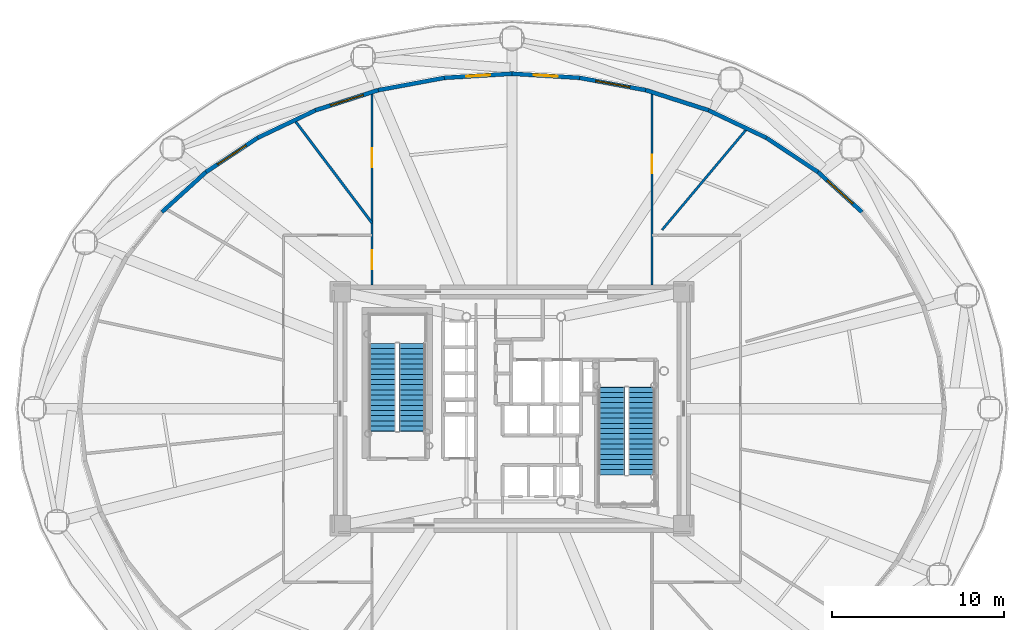
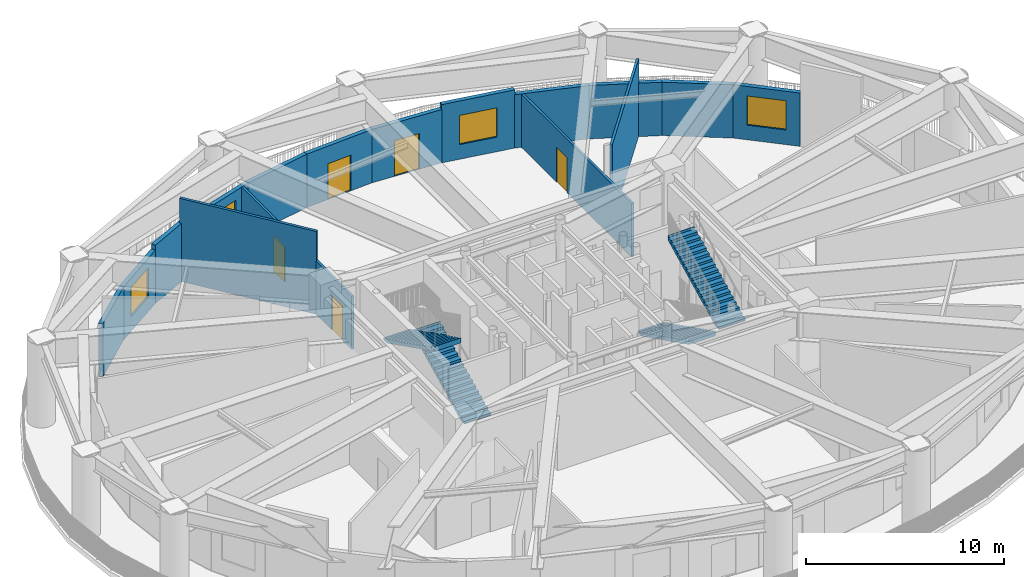
# One storey, part 8 of 15: 16 walls, 5 doors, 4 stair flights, 4 windows, 9 openings, 2 elements without a shape of their own.
"""IFC4 building model written with IfcOpenShell, lengths in metres."""

from ifc_helpers import new_model, si_unit, direction, frame, frame_2d, origin, origin_2d, place, context, subcontext, project, spatial, polyline, rectangle, outline, extrude, source, transform, mapped, material, layer, layer_set, type_object, element, fill, aggregate, save


model = new_model("IFC4")

# Units and contexts
model_context = context("Model", 3, precision=1e-05, world=origin(), true_north=direction((0.0, 1.0)))
body_context = subcontext(model_context, "Body", "Model", "MODEL_VIEW")
ifc_project = project(units=[si_unit("LENGTHUNIT", "METRE"), si_unit("AREAUNIT", "SQUARE_METRE"), si_unit("VOLUMEUNIT", "CUBIC_METRE"), si_unit("PLANEANGLEUNIT", "RADIAN"), si_unit("MASSUNIT", "GRAM", prefix="KILO")], contexts=[model_context])

# Site, building, storey
site_placement = place(None, origin())
site = spatial("IfcSite", under=ifc_project, at=site_placement, CompositionType="ELEMENT")
building_placement = place(site_placement, origin())
building = spatial("IfcBuilding", under=site, at=building_placement, Name="Linh Dai School and Residence Tower", CompositionType="ELEMENT")
storey_placement = place(building_placement, frame((0.0, 0.0, 145.949951171875)))
storey = spatial("IfcBuildingStorey", under=building, at=storey_placement, Name="L35", CompositionType="ELEMENT", Elevation=145.949951171875)

# Wall, opening, window
ifc_material_1 = material(Name="Precast Concrete B45 (C35/45)", Category="concrete")
ifc_layer_1 = layer(ifc_material_1, 0.239990234375)
ifc_layer_set_1 = layer_set([ifc_layer_1], Name="Precast Concrete B45 (C35/45)")
wall_type_1 = type_object("IfcWallType", Name="EW-TC-240", PredefinedType="SOLIDWALL", material=ifc_layer_set_1)
wall_1_placement = place(storey_placement, frame((53.813232421875, 40.78173828125, 0.0), z_axis=(0.0, 0.0, 1.0), x_axis=(0.740198369861, -0.672388558242, 0.0)))
wall_1 = element("IfcWall", 1, at=wall_1_placement, inside=storey, type_object=wall_type_1, Name="L35 Terracotta Exterior Wall 05", PredefinedType="SOLIDWALL", context=body_context, shape_type="SweptSolid", body=[
    extrude(rectangle(XDim=3.463623046875, YDim=0.239990234375, at=frame_2d((1.73193359375, 0.0))), origin(), (0.0, 0.0, 1.0), 3.28515625),
])
opening_1_placement = place(wall_1_placement, frame((0.731689453125, 0.0, 0.89990234375)))
opening_1 = element("IfcOpeningElement", 2, at=opening_1_placement, cuts=wall_1, Name="Opening W5", PredefinedType="OPENING", context=body_context, shape_type="SweptSolid", body=[
    extrude(rectangle(XDim=2.0, YDim=1.800048828125, at=origin_2d()), frame((1.0, 0.1298828125, 0.89990234375), z_axis=(0.0, -1.0, 0.0), x_axis=(1.0, 0.0, 0.0)), (0.0, 0.0, 1.0), 0.260009765625),
])
ifc_material_2 = material(Name="Anodised Aluminium Weather Louvre", Category="aluminium")
window_type = type_object("IfcWindowType", Name="WN-LV-2000x1800", PartitioningType="SINGLE_PANEL", PredefinedType="USERDEFINED", material=ifc_material_2)
shared_shape_1 = source(origin(), body_context, "Body", "SweptSolid", [
    extrude(rectangle(XDim=2.0, YDim=1.800048828125, at=origin_2d()), frame((1.0, 0.030029296875, 0.89990234375), z_axis=(0.0, -1.0, 0.0), x_axis=(1.0, 0.0, 0.0)), (0.0, 0.0, 1.0), 0.06005859375),
])
window_1_placement = place(opening_1_placement, origin())
window_1 = element("IfcWindow", 3, at=window_1_placement, inside=storey, type_object=window_type, Name="L35 Plant Weather Louvre 05", ObjectType="LOUVRE VENT", OverallHeight=1.800048828125, OverallWidth=2.0, PartitioningType="SINGLE_PANEL", PredefinedType="USERDEFINED", context=body_context, shape_type="MappedRepresentation", body=[
    mapped(shared_shape_1, transform((0.0, 0.0, 0.0), x_axis=(1.0, 0.0, 0.0), y_axis=(0.0, 1.0, 0.0), z_axis=(0.0, 0.0, 1.0), scale=1.0)),
])
fill(opening_1, window_1)

# Walls
wall_2_placement = place(storey_placement, frame((50.8095703125, 42.772216796875, 0.0), z_axis=(0.0, 0.0, 1.0), x_axis=(0.83357940612, -0.552399650337, 0.0)))
element("IfcWall", 4, at=wall_2_placement, inside=storey, type_object=wall_type_1, Name="L35 Terracotta Exterior Wall 06", PredefinedType="SOLIDWALL", context=body_context, shape_type="SweptSolid", body=[
    extrude(rectangle(XDim=3.603271484375, YDim=0.239990234375, at=frame_2d((1.8017578125, 0.0))), origin(), (0.0, 0.0, 1.0), 3.28515625),
])
wall_3_placement = place(storey_placement, frame((47.43994140625, 44.374267578125, 0.0), z_axis=(0.0, 0.0, 1.0), x_axis=(0.903124021388, -0.429379787592, 0.0)))
element("IfcWall", 5, at=wall_3_placement, inside=storey, type_object=wall_type_1, Name="L35 Terracotta Exterior Wall 07", PredefinedType="SOLIDWALL", context=body_context, shape_type="SweptSolid", body=[
    extrude(rectangle(XDim=3.731201171875, YDim=0.239990234375, at=frame_2d((1.86572265625, 0.0))), origin(), (0.0, 0.0, 1.0), 3.28515625),
])
wall_4_placement = place(storey_placement, frame((43.78759765625, 45.548095703125, 0.0), z_axis=(0.0, 0.0, 1.0), x_axis=(0.95203915495, -0.305976220388, 0.0)))
element("IfcWall", 6, at=wall_4_placement, inside=storey, type_object=wall_type_1, Name="L35 Terracotta Exterior Wall 08", PredefinedType="SOLIDWALL", context=body_context, shape_type="SweptSolid", body=[
    extrude(rectangle(XDim=3.83642578125, YDim=0.239990234375, at=frame_2d((1.918212890625, 0.0))), origin(), (0.0, 0.0, 1.0), 3.28515625),
])

# Wall, opening, window
wall_5_placement = place(storey_placement, frame((39.942626953125, 46.26416015625, 0.0), z_axis=(0.0, 0.0, 1.0), x_axis=(0.983096880392, -0.183086110241, 0.0)))
wall_5 = element("IfcWall", 7, at=wall_5_placement, inside=storey, type_object=wall_type_1, Name="L35 Terracotta Exterior Wall 09", PredefinedType="SOLIDWALL", context=body_context, shape_type="SweptSolid", body=[
    extrude(rectangle(XDim=3.9111328125, YDim=0.239990234375, at=frame_2d((1.95556640625, 0.0))), origin(), (0.0, 0.0, 1.0), 3.5849609375),
])
opening_2_placement = place(wall_5_placement, frame((0.95556640625, 0.0, 0.89990234375)))
opening_2 = element("IfcOpeningElement", 8, at=opening_2_placement, cuts=wall_5, Name="Opening W5", PredefinedType="OPENING", context=body_context, shape_type="SweptSolid", body=[
    extrude(rectangle(XDim=2.0, YDim=1.800048828125, at=origin_2d()), frame((1.0, 0.1298828125, 0.89990234375), z_axis=(0.0, -1.0, 0.0), x_axis=(1.0, 0.0, 0.0)), (0.0, 0.0, 1.0), 0.260009765625),
])
window_2_placement = place(opening_2_placement, origin())
window_2 = element("IfcWindow", 9, at=window_2_placement, inside=storey, type_object=window_type, Name="L35 Plant Weather Louvre 09", ObjectType="LOUVRE VENT", OverallHeight=1.800048828125, OverallWidth=2.0, PartitioningType="SINGLE_PANEL", PredefinedType="USERDEFINED", context=body_context, shape_type="MappedRepresentation", body=[
    mapped(shared_shape_1, transform((0.0, 0.0, 0.0), x_axis=(1.0, 0.0, 0.0), y_axis=(0.0, 1.0, 0.0), z_axis=(0.0, 0.0, 1.0), scale=1.0)),
])
fill(opening_2, window_2)

# Wall, opening, door
wall_6_placement = place(storey_placement, frame((36.0, 46.5048828125, 0.0), z_axis=(0.0, 0.0, 1.0), x_axis=(0.998141252554, -0.060942923712, 0.0)))
wall_6 = element("IfcWall", 10, at=wall_6_placement, inside=storey, type_object=wall_type_1, Name="L35 Terracotta Exterior Wall 10", PredefinedType="SOLIDWALL", context=body_context, shape_type="SweptSolid", body=[
    extrude(rectangle(XDim=3.949951171875, YDim=0.239990234375, at=frame_2d((1.97509765625, 0.0))), origin(), (0.0, 0.0, 1.0), 3.28515625),
])
opening_3_placement = place(wall_6_placement, frame((1.27490234375, 0.0, 0.0)))
opening_3 = element("IfcOpeningElement", 11, at=opening_3_placement, cuts=wall_6, Name="Opening DD1", PredefinedType="OPENING", context=body_context, shape_type="SweptSolid", body=[
    extrude(rectangle(XDim=1.39990234375, YDim=2.199951171875, at=origin_2d()), frame((0.699951171875, 0.1298828125, 1.10009765625), z_axis=(0.0, -1.0, 0.0), x_axis=(1.0, 0.0, 0.0)), (0.0, 0.0, 1.0), 0.260009765625),
])
ifc_material_3 = material(Name="Glazed Aluminium Terrace Door", Category="aluminium")
door_type_1 = type_object("IfcDoorType", Name="DR-DECK-1400x2200", OperationType="NOTDEFINED", PredefinedType="DOOR", material=ifc_material_3)
shared_shape_2 = source(origin(), body_context, "Body", "SweptSolid", [
    extrude(rectangle(XDim=1.39990234375, YDim=2.199951171875, at=origin_2d()), frame((0.699951171875, 0.02490234375, 1.10009765625), z_axis=(0.0, -1.0, 0.0), x_axis=(1.0, 0.0, 0.0)), (0.0, 0.0, 1.0), 0.050048828125),
])
door_1_placement = place(opening_3_placement, origin())
door_1 = element("IfcDoor", 12, at=door_1_placement, inside=storey, type_object=door_type_1, Name="L35 Outdoor Terrace Access Door 10", OperationType="SINGLE_SWING_RIGHT", OverallHeight=2.199951171875, OverallWidth=1.39990234375, PredefinedType="DOOR", context=body_context, shape_type="MappedRepresentation", body=[
    mapped(shared_shape_2, transform((0.0, 0.0, 0.0), x_axis=(1.0, 0.0, 0.0), y_axis=(0.0, 1.0, 0.0), z_axis=(0.0, 0.0, 1.0), scale=1.0)),
])
fill(opening_3, door_1)

wall_7_placement = place(storey_placement, frame((32.057373046875, 46.26416015625, 0.0), z_axis=(0.0, 0.0, 1.0), x_axis=(0.998141252554, 0.060942923712, 0.0)))
wall_7 = element("IfcWall", 13, at=wall_7_placement, inside=storey, type_object=wall_type_1, Name="L35 Terracotta Exterior Wall 11", PredefinedType="SOLIDWALL", context=body_context, shape_type="SweptSolid", body=[
    extrude(rectangle(XDim=3.949951171875, YDim=0.239990234375, at=frame_2d((1.97509765625, 0.0))), origin(), (0.0, 0.0, 1.0), 3.28515625),
])
opening_4_placement = place(wall_7_placement, frame((1.27490234375, 0.0, 0.0)))
opening_4 = element("IfcOpeningElement", 14, at=opening_4_placement, cuts=wall_7, Name="Opening DD1", PredefinedType="OPENING", context=body_context, shape_type="SweptSolid", body=[
    extrude(rectangle(XDim=1.39990234375, YDim=2.199951171875, at=origin_2d()), frame((0.699951171875, 0.1298828125, 1.10009765625), z_axis=(0.0, -1.0, 0.0), x_axis=(1.0, 0.0, 0.0)), (0.0, 0.0, 1.0), 0.260009765625),
])
door_2_placement = place(opening_4_placement, origin())
door_2 = element("IfcDoor", 15, at=door_2_placement, inside=storey, type_object=door_type_1, Name="L35 Outdoor Terrace Access Door 11", OperationType="SINGLE_SWING_LEFT", OverallHeight=2.199951171875, OverallWidth=1.39990234375, PredefinedType="DOOR", context=body_context, shape_type="MappedRepresentation", body=[
    mapped(shared_shape_2, transform((0.0, 0.0, 0.0), x_axis=(1.0, 0.0, 0.0), y_axis=(0.0, 1.0, 0.0), z_axis=(0.0, 0.0, 1.0), scale=1.0)),
])
fill(opening_4, door_2)

# Wall
wall_8_placement = place(storey_placement, frame((28.21240234375, 45.548095703125, 0.0), z_axis=(0.0, 0.0, 1.0), x_axis=(0.983096880392, 0.183086110241, 0.0)))
element("IfcWall", 16, at=wall_8_placement, inside=storey, type_object=wall_type_1, Name="L35 Terracotta Exterior Wall 12", PredefinedType="SOLIDWALL", context=body_context, shape_type="SweptSolid", body=[
    extrude(rectangle(XDim=3.9111328125, YDim=0.239990234375, at=frame_2d((1.95556640625, 0.0))), origin(), (0.0, 0.0, 1.0), 3.28515625),
])

# Wall, opening, window
wall_9_placement = place(storey_placement, frame((24.56005859375, 44.374267578125, 0.0), z_axis=(0.0, 0.0, 1.0), x_axis=(0.95203915495, 0.305976220388, 0.0)))
wall_9 = element("IfcWall", 17, at=wall_9_placement, inside=storey, type_object=wall_type_1, Name="L35 Terracotta Exterior Wall 13", PredefinedType="SOLIDWALL", context=body_context, shape_type="SweptSolid", body=[
    extrude(rectangle(XDim=3.83642578125, YDim=0.239990234375, at=frame_2d((1.918212890625, 0.0))), origin(), (0.0, 0.0, 1.0), 3.28515625),
])
opening_5_placement = place(wall_9_placement, frame((0.918212890625, 0.0, 0.89990234375)))
opening_5 = element("IfcOpeningElement", 18, at=opening_5_placement, cuts=wall_9, Name="Opening W5", PredefinedType="OPENING", context=body_context, shape_type="SweptSolid", body=[
    extrude(rectangle(XDim=2.0, YDim=1.800048828125, at=origin_2d()), frame((1.0, 0.1298828125, 0.89990234375), z_axis=(0.0, -1.0, 0.0), x_axis=(1.0, 0.0, 0.0)), (0.0, 0.0, 1.0), 0.260009765625),
])
window_3_placement = place(opening_5_placement, origin())
window_3 = element("IfcWindow", 19, at=window_3_placement, inside=storey, type_object=window_type, Name="L35 Plant Weather Louvre 13", ObjectType="LOUVRE VENT", OverallHeight=1.800048828125, OverallWidth=2.0, PartitioningType="SINGLE_PANEL", PredefinedType="USERDEFINED", context=body_context, shape_type="MappedRepresentation", body=[
    mapped(shared_shape_1, transform((0.0, 0.0, 0.0), x_axis=(1.0, 0.0, 0.0), y_axis=(0.0, 1.0, 0.0), z_axis=(0.0, 0.0, 1.0), scale=1.0)),
])
fill(opening_5, window_3)

# Wall
wall_10_placement = place(storey_placement, frame((21.1904296875, 42.772216796875, 0.0), z_axis=(0.0, 0.0, 1.0), x_axis=(0.903124021388, 0.429379787592, 0.0)))
element("IfcWall", 20, at=wall_10_placement, inside=storey, type_object=wall_type_1, Name="L35 Terracotta Exterior Wall 14", PredefinedType="SOLIDWALL", context=body_context, shape_type="SweptSolid", body=[
    extrude(rectangle(XDim=3.731201171875, YDim=0.239990234375, at=frame_2d((1.86572265625, 0.0))), origin(), (0.0, 0.0, 1.0), 3.5849609375),
])

# Wall, opening, window
wall_11_placement = place(storey_placement, frame((18.186767578125, 40.78173828125, 0.0), z_axis=(0.0, 0.0, 1.0), x_axis=(0.83357940612, 0.552399650337, 0.0)))
wall_11 = element("IfcWall", 21, at=wall_11_placement, inside=storey, type_object=wall_type_1, Name="L35 Terracotta Exterior Wall 15", PredefinedType="SOLIDWALL", context=body_context, shape_type="SweptSolid", body=[
    extrude(rectangle(XDim=3.603271484375, YDim=0.239990234375, at=frame_2d((1.8017578125, 0.0))), origin(), (0.0, 0.0, 1.0), 3.28515625),
])
opening_6_placement = place(wall_11_placement, frame((0.801513671875, 0.0, 0.89990234375)))
opening_6 = element("IfcOpeningElement", 22, at=opening_6_placement, cuts=wall_11, Name="Opening W5", PredefinedType="OPENING", context=body_context, shape_type="SweptSolid", body=[
    extrude(rectangle(XDim=2.0, YDim=1.800048828125, at=origin_2d()), frame((1.0, 0.1298828125, 0.89990234375), z_axis=(0.0, -1.0, 0.0), x_axis=(1.0, 0.0, 0.0)), (0.0, 0.0, 1.0), 0.260009765625),
])
window_4_placement = place(opening_6_placement, origin())
window_4 = element("IfcWindow", 23, at=window_4_placement, inside=storey, type_object=window_type, Name="L35 Plant Weather Louvre 15", ObjectType="LOUVRE VENT", OverallHeight=1.800048828125, OverallWidth=2.0, PartitioningType="SINGLE_PANEL", PredefinedType="USERDEFINED", context=body_context, shape_type="MappedRepresentation", body=[
    mapped(shared_shape_1, transform((0.0, 0.0, 0.0), x_axis=(1.0, 0.0, 0.0), y_axis=(0.0, 1.0, 0.0), z_axis=(0.0, 0.0, 1.0), scale=1.0)),
])
fill(opening_6, window_4)

# Wall
wall_12_placement = place(storey_placement, frame((15.623046875, 38.452880859375, 0.0), z_axis=(0.0, 0.0, 1.0), x_axis=(0.740198369861, 0.672388558242, 0.0)))
element("IfcWall", 24, at=wall_12_placement, inside=storey, type_object=wall_type_1, Name="L35 Terracotta Exterior Wall 16", PredefinedType="SOLIDWALL", context=body_context, shape_type="SweptSolid", body=[
    extrude(rectangle(XDim=3.463623046875, YDim=0.239990234375, at=frame_2d((1.73193359375, 0.0))), origin(), (0.0, 0.0, 1.0), 3.28515625),
])

# Wall, openings, doors
ifc_material_4 = material(Name="Autoclaved Aerated Concrete Blockwork", Category="masonry")
ifc_layer_2 = layer(ifc_material_4, 0.135009765625)
ifc_layer_set_2 = layer_set([ifc_layer_2], Name="Autoclaved Aerated Concrete Blockwork")
wall_type_2 = type_object("IfcWallType", Name="IW-CORR-135-EI90", PredefinedType="PARTITIONING", material=ifc_layer_set_2)
wall_13_placement = place(storey_placement, frame((27.85009765625, 34.199951171875, 0.0), z_axis=(0.0, 0.0, 1.0), x_axis=(0.0, 1.0, 0.0)))
wall_13 = element("IfcWall", 25, at=wall_13_placement, inside=storey, type_object=wall_type_2, Name="L35 Interior Partition Wall 012", PredefinedType="PARTITIONING", context=body_context, shape_type="SweptSolid", body=[
    extrude(rectangle(XDim=11.23681640625, YDim=0.135009765625, at=frame_2d((5.618408203125, 0.0))), origin(), (0.0, 0.0, 1.0), 3.28515625),
])
opening_7_placement = place(wall_13_placement, frame((0.919921875, 0.0, 0.0)))
opening_7 = element("IfcOpeningElement", 26, at=opening_7_placement, cuts=wall_13, Name="Opening D07", PredefinedType="OPENING", context=body_context, shape_type="SweptSolid", body=[
    extrude(rectangle(XDim=1.10009765625, YDim=2.14990234375, at=origin_2d()), frame((0.550048828125, 0.07763671875, 1.074951171875), z_axis=(0.0, -1.0, 0.0), x_axis=(1.0, 0.0, 0.0)), (0.0, 0.0, 1.0), 0.155029296875),
])
opening_8_placement = place(wall_13_placement, frame((6.856201171875, 0.0, 0.0)))
opening_8 = element("IfcOpeningElement", 27, at=opening_8_placement, cuts=wall_13, Name="Opening D07", PredefinedType="OPENING", context=body_context, shape_type="SweptSolid", body=[
    extrude(rectangle(XDim=1.10009765625, YDim=2.14990234375, at=origin_2d()), frame((0.550048828125, 0.07763671875, 1.074951171875), z_axis=(0.0, -1.0, 0.0), x_axis=(1.0, 0.0, 0.0)), (0.0, 0.0, 1.0), 0.155029296875),
])
ifc_material_5 = material(Name="Fire-Rated Louvred Steel Plant Door", Category="steel")
door_type_2 = type_object("IfcDoorType", Name="DR-PLT-1100x2150-FD60S", OperationType="NOTDEFINED", PredefinedType="DOOR", material=ifc_material_5)
shared_shape_3 = source(origin(), body_context, "Body", "SweptSolid", [
    extrude(rectangle(XDim=1.10009765625, YDim=2.14990234375, at=origin_2d()), frame((0.550048828125, 0.02490234375, 1.074951171875), z_axis=(0.0, -1.0, 0.0), x_axis=(1.0, 0.0, 0.0)), (0.0, 0.0, 1.0), 0.050048828125),
])
door_3_placement = place(opening_7_placement, origin())
door_3 = element("IfcDoor", 28, at=door_3_placement, inside=storey, type_object=door_type_2, Name="L35 Pressurised Fire Refuge Area North Corridor Door", OperationType="SINGLE_SWING_RIGHT", OverallHeight=2.14990234375, OverallWidth=1.10009765625, PredefinedType="DOOR", context=body_context, shape_type="MappedRepresentation", body=[
    mapped(shared_shape_3, transform((0.0, 0.0, 0.0), x_axis=(1.0, 0.0, 0.0), y_axis=(0.0, 1.0, 0.0), z_axis=(0.0, 0.0, 1.0), scale=1.0)),
])
fill(opening_7, door_3)
door_4_placement = place(opening_8_placement, origin())
door_4 = element("IfcDoor", 29, at=door_4_placement, inside=storey, type_object=door_type_2, Name="L35 Zone HV Transformer Plant Room Door", OperationType="SINGLE_SWING_RIGHT", OverallHeight=2.14990234375, OverallWidth=1.10009765625, PredefinedType="DOOR", context=body_context, shape_type="MappedRepresentation", body=[
    mapped(shared_shape_3, transform((0.0, 0.0, 0.0), x_axis=(1.0, 0.0, 0.0), y_axis=(0.0, 1.0, 0.0), z_axis=(0.0, 0.0, 1.0), scale=1.0)),
])
fill(opening_8, door_4)

# Wall, opening, door
wall_14_placement = place(storey_placement, frame((44.14990234375, 34.199951171875, 0.0), z_axis=(0.0, 0.0, 1.0), x_axis=(0.0, 1.0, 0.0)))
wall_14 = element("IfcWall", 30, at=wall_14_placement, inside=storey, type_object=wall_type_2, Name="L35 Interior Partition Wall 049", PredefinedType="PARTITIONING", context=body_context, shape_type="SweptSolid", body=[
    extrude(rectangle(XDim=11.23681640625, YDim=0.135009765625, at=frame_2d((5.618408203125, 0.0))), origin(), (0.0, 0.0, 1.0), 3.28515625),
])
opening_9_placement = place(wall_14_placement, frame((6.498291015625, 0.0, 0.0)))
opening_9 = element("IfcOpeningElement", 31, at=opening_9_placement, cuts=wall_14, Name="Opening D07", PredefinedType="OPENING", context=body_context, shape_type="SweptSolid", body=[
    extrude(rectangle(XDim=1.10009765625, YDim=2.14990234375, at=origin_2d()), frame((0.550048828125, 0.07763671875, 1.074951171875), z_axis=(0.0, -1.0, 0.0), x_axis=(1.0, 0.0, 0.0)), (0.0, 0.0, 1.0), 0.155029296875),
])
door_5_placement = place(opening_9_placement, origin())
door_5 = element("IfcDoor", 32, at=door_5_placement, inside=storey, type_object=door_type_2, Name="L35 Zone Domestic Booster Pump Plant Room Door", OperationType="SINGLE_SWING_LEFT", OverallHeight=2.14990234375, OverallWidth=1.10009765625, PredefinedType="DOOR", context=body_context, shape_type="MappedRepresentation", body=[
    mapped(shared_shape_3, transform((0.0, 0.0, 0.0), x_axis=(1.0, 0.0, 0.0), y_axis=(0.0, 1.0, 0.0), z_axis=(0.0, 0.0, 1.0), scale=1.0)),
])
fill(opening_9, door_5)

# Walls
wall_15_placement = place(storey_placement, frame((49.68701171875, 43.3115234375, 0.0), z_axis=(0.0, 0.0, 1.0), x_axis=(-0.642788606403, -0.766043606773, 0.0)))
element("IfcWall", 33, at=wall_15_placement, inside=storey, type_object=wall_type_2, Name="L35 Interior Partition Wall 077", PredefinedType="PARTITIONING", context=body_context, shape_type="SweptSolid", body=[
    extrude(rectangle(XDim=7.707275390625, YDim=0.135009765625, at=frame_2d((3.853515625, 0.0))), origin(), (0.0, 0.0, 1.0), 4.72509765625),
])
ifc_layer_3 = layer(ifc_material_4, 0.14990234375)
ifc_layer_set_3 = layer_set([ifc_layer_3], Name="Autoclaved Aerated Concrete Blockwork")
wall_type_3 = type_object("IfcWallType", Name="IW-SCH-150-EI60", PredefinedType="PARTITIONING", material=ifc_layer_set_3)
wall_16_placement = place(storey_placement, frame((23.34033203125, 43.7998046875, 0.0), z_axis=(0.0, 0.0, 1.0), x_axis=(0.601833374901, -0.798621680682, 0.0)))
element("IfcWall", 34, at=wall_16_placement, inside=storey, type_object=wall_type_3, Name="L35 Interior Partition Wall 009", PredefinedType="PARTITIONING", context=body_context, shape_type="SweptSolid", body=[
    extrude(rectangle(XDim=7.493408203125, YDim=0.14990234375, at=frame_2d((3.74658203125, 0.0))), origin(), (0.0, 0.0, 1.0), 5.10009765625),
])

# Stair, stair flights
ifc_material_6 = material(Name="Concrete B45 (C35/45)", Category="concrete")
stair_type = type_object("IfcStairType", Name="ST-DOG-1550-R1500", PredefinedType="HALF_TURN_STAIR", material=ifc_material_6)
stair_1_placement = place(storey_placement, origin())
stair_1 = element("IfcStair", 35, at=stair_1_placement, inside=storey, type_object=stair_type, Name="L35 Core Smokeproof Exit Stair ST1", PredefinedType="HALF_TURN_STAIR")
stair_flight_type = type_object("IfcStairFlightType", Name="STF-STR-1550-R1500", PredefinedType="STRAIGHT", material=ifc_material_6)
shared_shape_4 = source(origin(), body_context, "Body", "SweptSolid", [
    extrude(outline(polyline([(-0.02490234375, 0.0), (-0.02490234375, 0.06005859375), (0.0, 0.06005859375), (0.0, 0.14990234375), (0.300048828125, 0.14990234375), (0.300048828125, 0.300048828125), (0.60009765625, 0.300048828125), (0.60009765625, 0.449951171875), (0.89990234375, 0.449951171875), (0.89990234375, 0.60009765625), (1.199951171875, 0.60009765625), (1.199951171875, 0.75), (1.5, 0.75), (1.5, 0.89990234375), (1.800048828125, 0.89990234375), (1.800048828125, 1.050048828125), (2.10009765625, 1.050048828125), (2.10009765625, 1.199951171875), (2.39990234375, 1.199951171875), (2.39990234375, 1.35009765625), (2.699951171875, 1.35009765625), (2.699951171875, 1.5), (3.0, 1.5), (3.0, 1.64990234375), (3.300048828125, 1.64990234375), (3.300048828125, 1.800048828125), (3.60009765625, 1.800048828125), (3.60009765625, 1.949951171875), (3.89990234375, 1.949951171875), (3.89990234375, 2.10009765625), (4.199951171875, 2.10009765625), (4.199951171875, 2.25), (4.5, 2.25), (4.5, 2.39990234375), (4.800048828125, 2.39990234375), (4.800048828125, 2.550048828125), (5.10009765625, 2.550048828125), (5.10009765625, 2.699951171875), (5.125, 2.699951171875), (5.125, 2.38232421875), (5.10009765625, 2.38232421875), (0.335205078125, 0.0), (-0.02490234375, 0.0)])), frame((0.0, 0.77490234375, 0.0), z_axis=(0.0, -1.0, 0.0), x_axis=(1.0, 0.0, 0.0)), (0.0, 0.0, 1.0), 1.550048828125),
])
stair_flight_1_placement = place(storey_placement, frame((30.205078125, 25.699951171875, 0.0), z_axis=(0.0, 0.0, 1.0), x_axis=(0.0, 1.0, 0.0)))
stair_flight_1 = element("IfcStairFlight", 36, at=stair_flight_1_placement, type_object=stair_flight_type, Name="ST1 flight 1", NumberOfRisers=18, NumberOfTreads=17, PredefinedType="STRAIGHT", RiserHeight=0.15, TreadLength=0.3, context=body_context, shape_type="MappedRepresentation", body=[
    mapped(shared_shape_4, transform((0.0, 0.0, 0.0), x_axis=(1.0, 0.0, 0.0), y_axis=(0.0, 1.0, 0.0), z_axis=(0.0, 0.0, 1.0), scale=1.0)),
])
stair_flight_2_placement = place(storey_placement, frame((28.455078125, 30.800048828125, 2.699951171875), z_axis=(0.0, 0.0, 1.0), x_axis=(0.0, -1.0, 0.0)))
stair_flight_2 = element("IfcStairFlight", 37, at=stair_flight_2_placement, type_object=stair_flight_type, Name="ST1 flight 2", NumberOfRisers=18, NumberOfTreads=17, PredefinedType="STRAIGHT", RiserHeight=0.15, TreadLength=0.3, context=body_context, shape_type="MappedRepresentation", body=[
    mapped(shared_shape_4, transform((0.0, 0.0, 0.0), x_axis=(1.0, 0.0, 0.0), y_axis=(0.0, 1.0, 0.0), z_axis=(0.0, 0.0, 1.0), scale=1.0)),
])
aggregate(stair_1, [stair_flight_1, stair_flight_2])

stair_2_placement = place(storey_placement, origin())
stair_2 = element("IfcStair", 38, at=stair_2_placement, inside=storey, type_object=stair_type, Name="L35 Core Smokeproof Exit Stair ST2", PredefinedType="HALF_TURN_STAIR")
stair_flight_3_placement = place(storey_placement, frame((41.794921875, 28.25, 0.0), z_axis=(0.0, 0.0, 1.0), x_axis=(0.0, -1.0, 0.0)))
stair_flight_3 = element("IfcStairFlight", 39, at=stair_flight_3_placement, type_object=stair_flight_type, Name="ST2 flight 1", NumberOfRisers=18, NumberOfTreads=17, PredefinedType="STRAIGHT", RiserHeight=0.15, TreadLength=0.3, context=body_context, shape_type="MappedRepresentation", body=[
    mapped(shared_shape_4, transform((0.0, 0.0, 0.0), x_axis=(1.0, 0.0, 0.0), y_axis=(0.0, 1.0, 0.0), z_axis=(0.0, 0.0, 1.0), scale=1.0)),
])
stair_flight_4_placement = place(storey_placement, frame((43.544921875, 23.14990234375, 2.699951171875), z_axis=(0.0, 0.0, 1.0), x_axis=(0.0, 1.0, 0.0)))
stair_flight_4 = element("IfcStairFlight", 40, at=stair_flight_4_placement, type_object=stair_flight_type, Name="ST2 flight 2", NumberOfRisers=18, NumberOfTreads=17, PredefinedType="STRAIGHT", RiserHeight=0.15, TreadLength=0.3, context=body_context, shape_type="MappedRepresentation", body=[
    mapped(shared_shape_4, transform((0.0, 0.0, 0.0), x_axis=(1.0, 0.0, 0.0), y_axis=(0.0, 1.0, 0.0), z_axis=(0.0, 0.0, 1.0), scale=1.0)),
])
aggregate(stair_2, [stair_flight_3, stair_flight_4])

save(model, "model.ifc")
